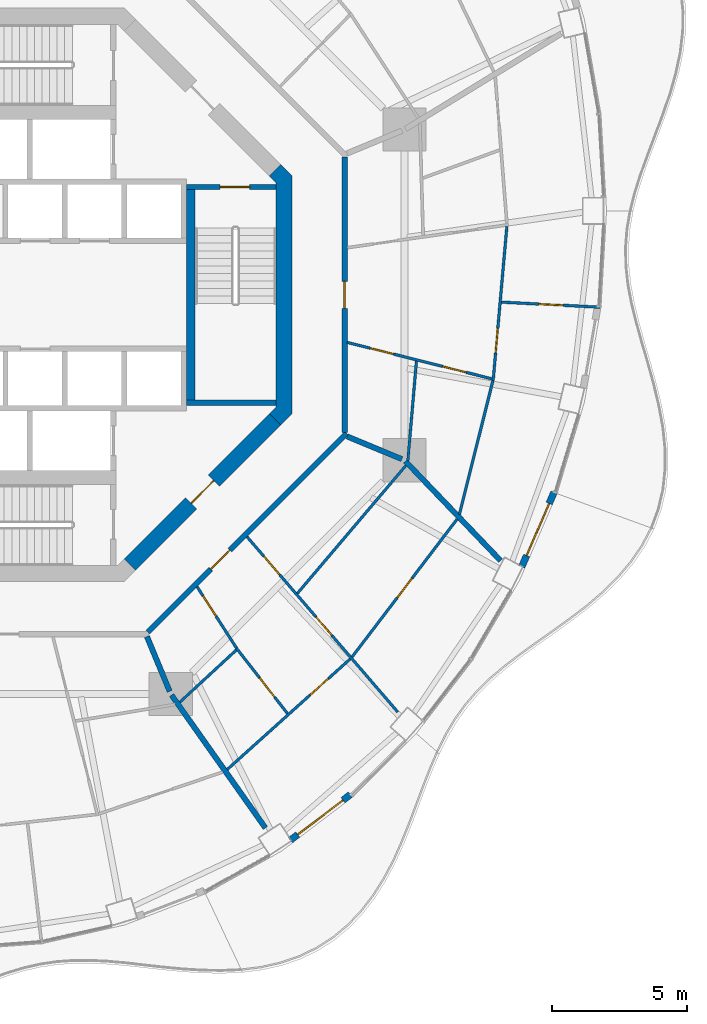
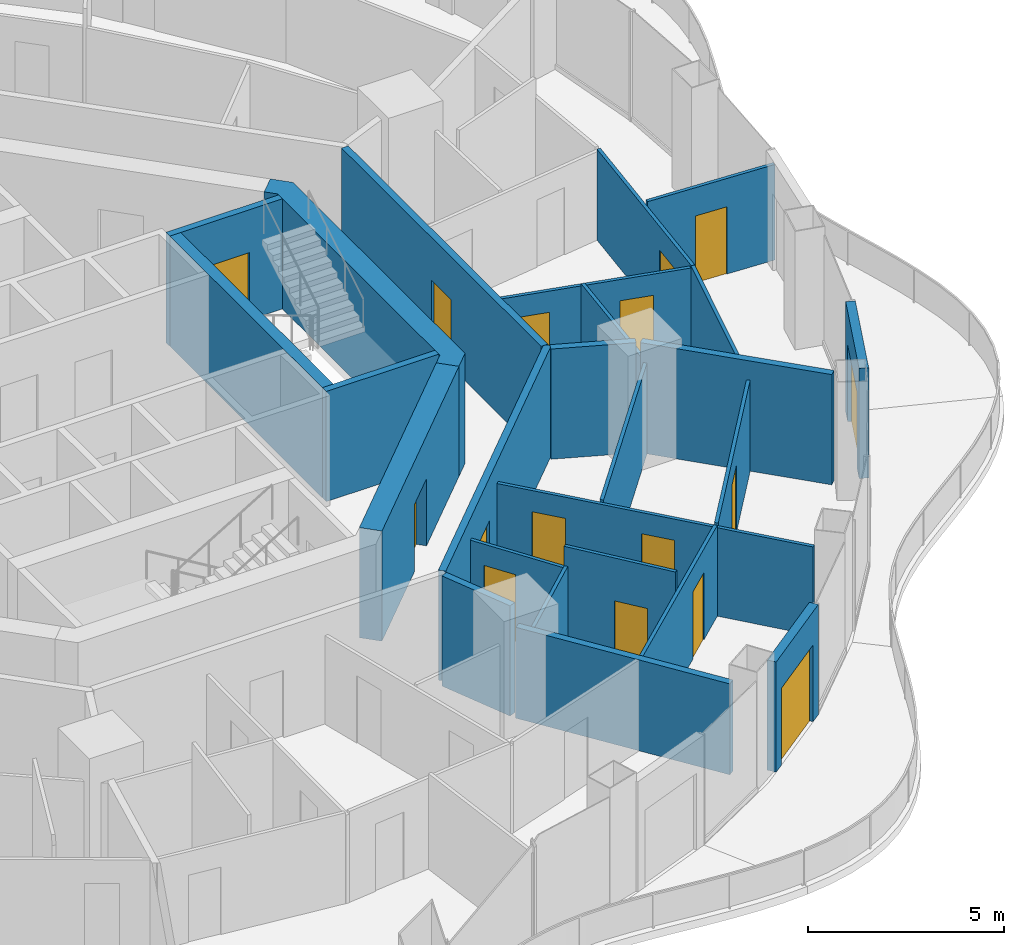
# One storey, part 12 of 18: 25 walls, 16 doors, 16 openings.
"""IFC4 building model written with IfcOpenShell, lengths in metres."""

from ifc_helpers import new_model, si_unit, direction, frame, frame_2d, origin, place, context, subcontext, project, spatial, polyline, rectangle, outline, extrude, material, layer, layer_set, type_object, element, fill, save


model = new_model("IFC4")

# Units and contexts
model_context = context("Model", 3, precision=1e-05, world=origin(), true_north=direction((0.0, 1.0)))
body_context = subcontext(model_context, "Body", "Model", "MODEL_VIEW")
ifc_project = project(units=[si_unit("LENGTHUNIT", "METRE"), si_unit("AREAUNIT", "SQUARE_METRE"), si_unit("VOLUMEUNIT", "CUBIC_METRE"), si_unit("PLANEANGLEUNIT", "RADIAN"), si_unit("MASSUNIT", "GRAM", prefix="KILO")], contexts=[model_context])

# Site, building, storey
site_placement = place(None, origin())
site = spatial("IfcSite", under=ifc_project, at=site_placement, CompositionType="ELEMENT")
building_placement = place(site_placement, origin())
building = spatial("IfcBuilding", under=site, at=building_placement, Name="Nagisa Residences", CompositionType="ELEMENT")
storey_placement = place(building_placement, frame((0.0, 0.0, 230.699951171875)))
storey = spatial("IfcBuildingStorey", under=building, at=storey_placement, Name="L58", CompositionType="ELEMENT", Elevation=230.699951171875)

# Walls
ifc_material_1 = material(Name="Gypsum board on steel studs", Category="steel")
ifc_layer_1 = layer(ifc_material_1, 0.199951171875)
ifc_layer_set_1 = layer_set([ifc_layer_1], Name="Apartment compartment wall EI60 200")
wall_type_1 = type_object("IfcWallType", Name="Apartment compartment wall EI60 200", PredefinedType="PARTITIONING", material=ifc_layer_set_1)
wall_1_placement = place(storey_placement, frame((5.24267578125, -12.6572265625, 0.0), z_axis=(0.0, 0.0, 1.0), x_axis=(0.382691608661, -0.923876145736, 0.0)))
element("IfcWall", 1, at=wall_1_placement, inside=storey, type_object=wall_type_1, Name="wall:L58:u06", PredefinedType="PARTITIONING", context=body_context, shape_type="SweptSolid", body=[
    extrude(rectangle(XDim=2.19970703125, YDim=0.199951171875, at=frame_2d((1.099853515625, 0.0))), origin(), (0.0, 0.0, 1.0), 3.43994140625),
])
wall_2_placement = place(storey_placement, frame((6.15185546875, -14.822998046875, 0.0), z_axis=(0.0, 0.0, 1.0), x_axis=(0.576994695158, -0.816747893637, 0.0)))
element("IfcWall", 2, at=wall_2_placement, inside=storey, type_object=wall_type_1, Name="wall:L58:u07", PredefinedType="PARTITIONING", context=body_context, shape_type="SweptSolid", body=[
    extrude(rectangle(XDim=6.0302734375, YDim=0.199951171875, at=frame_2d((3.01513671875, 0.0))), origin(), (0.0, 0.0, 1.0), 2.837158203125),
])
wall_3_placement = place(storey_placement, frame((12.6572265625, -5.24267578125, 0.0), z_axis=(0.0, 0.0, 1.0), x_axis=(0.923853160736, -0.382747093259, 0.0)))
element("IfcWall", 3, at=wall_3_placement, inside=storey, type_object=wall_type_1, Name="wall:L58:u08", PredefinedType="PARTITIONING", context=body_context, shape_type="SweptSolid", body=[
    extrude(rectangle(XDim=2.199951171875, YDim=0.199951171875, at=frame_2d((1.10009765625, 0.0))), origin(), (0.0, 0.0, 1.0), 3.43994140625),
])
wall_4_placement = place(storey_placement, frame((14.816650390625, -6.1591796875, 0.0), z_axis=(0.0, 0.0, 1.0), x_axis=(0.691437669875, -0.722436120828, 0.0)))
element("IfcWall", 4, at=wall_4_placement, inside=storey, type_object=wall_type_1, Name="wall:L58:u09", PredefinedType="PARTITIONING", context=body_context, shape_type="SweptSolid", body=[
    extrude(rectangle(XDim=5.103515625, YDim=0.199951171875, at=frame_2d((2.5517578125, 0.0))), origin(), (0.0, 0.0, 1.0), 3.43994140625),
])

# Wall, opening, door
ifc_material_2 = material(Name="Gypsum board on steel studs", Category="steel")
ifc_layer_2 = layer(ifc_material_2, 0.199951171875)
ifc_layer_set_2 = layer_set([ifc_layer_2], Name="Apartment entry wall EI60 200")
wall_type_2 = type_object("IfcWallType", Name="Apartment entry wall EI60 200", PredefinedType="PARTITIONING", material=ifc_layer_set_2)
wall_5_placement = place(storey_placement, frame((12.564697265625, -5.1044921875, 0.0), z_axis=(0.0, 0.0, 1.0), x_axis=(0.0, 1.0, 0.0)))
wall_5 = element("IfcWall", 5, at=wall_5_placement, inside=storey, type_object=wall_type_2, Name="wall:L58:u10", PredefinedType="PARTITIONING", context=body_context, shape_type="SweptSolid", body=[
    extrude(rectangle(XDim=10.208984375, YDim=0.199951171875, at=frame_2d((5.1044921875, 0.0))), origin(), (0.0, 0.0, 1.0), 3.43994140625),
])
opening_1_placement = place(wall_5_placement, frame((4.6044921875, 0.0, 0.0)))
opening_1 = element("IfcOpeningElement", 6, at=opening_1_placement, cuts=wall_5, Name="Opening L58-U29", PredefinedType="OPENING", context=body_context, shape_type="SweptSolid", body=[
    extrude(rectangle(XDim=1.0, YDim=2.10009765625, at=frame_2d((0.5, 1.050048828125))), frame((0.0, 0.10986328125, 0.0), z_axis=(0.0, -1.0, 0.0), x_axis=(1.0, 0.0, 0.0)), (0.0, 0.0, 1.0), 0.219970703125),
])
ifc_material_3 = material(Name="Timber fire door set", Category="wood")
door_type_1 = type_object("IfcDoorType", Name="Apartment entry door FD30S 1000x2100", OperationType="NOTDEFINED", PredefinedType="DOOR", material=ifc_material_3)
door_1_placement = place(opening_1_placement, frame((1.0, 0.0, 0.0), x_axis=(-1.0, 0.0, 0.0)))
door_1 = element("IfcDoor", 7, at=door_1_placement, inside=storey, type_object=door_type_1, Name="Entry door, Apartment 58D", OperationType="SINGLE_SWING_RIGHT", OverallHeight=2.10009765625, OverallWidth=1.0, PredefinedType="DOOR", context=body_context, shape_type="SweptSolid", body=[
    extrude(rectangle(XDim=1.0, YDim=2.10009765625, at=frame_2d((0.5, 1.050048828125))), frame((0.0, 0.02490234375, 0.0), z_axis=(0.0, -1.0, 0.0), x_axis=(1.0, 0.0, 0.0)), (0.0, 0.0, 1.0), 0.050048828125),
])
fill(opening_1, door_1)

wall_6_placement = place(storey_placement, frame((5.275146484375, -12.494140625, 0.0), z_axis=(0.0, 0.0, 1.0), x_axis=(0.707106781187, 0.707106781187, 0.0)))
wall_6 = element("IfcWall", 8, at=wall_6_placement, inside=storey, type_object=wall_type_2, Name="wall:L58:u17", PredefinedType="PARTITIONING", context=body_context, shape_type="SweptSolid", body=[
    extrude(rectangle(XDim=10.4091796875, YDim=0.199951171875, at=frame_2d((5.20458984375, 0.0))), origin(), (0.0, 0.0, 1.0), 3.43994140625),
])
opening_2_placement = place(wall_6_placement, frame((3.303466796875, 0.0, 0.0)))
opening_2 = element("IfcOpeningElement", 9, at=opening_2_placement, cuts=wall_6, Name="Opening L58-U22", PredefinedType="OPENING", context=body_context, shape_type="SweptSolid", body=[
    extrude(rectangle(XDim=1.0, YDim=2.10009765625, at=frame_2d((0.5, 1.050048828125))), frame((0.0, 0.10986328125, 0.0), z_axis=(0.0, -1.0, 0.0), x_axis=(1.0, 0.0, 0.0)), (0.0, 0.0, 1.0), 0.219970703125),
])
door_2_placement = place(opening_2_placement, frame((1.0, 0.0, 0.0), x_axis=(-1.0, 0.0, 0.0)))
door_2 = element("IfcDoor", 10, at=door_2_placement, inside=storey, type_object=door_type_1, Name="Entry door, Apartment 58C", OperationType="SINGLE_SWING_LEFT", OverallHeight=2.10009765625, OverallWidth=1.0, PredefinedType="DOOR", context=body_context, shape_type="SweptSolid", body=[
    extrude(rectangle(XDim=1.0, YDim=2.10009765625, at=frame_2d((0.5, 1.050048828125))), frame((0.0, 0.02490234375, 0.0), z_axis=(0.0, -1.0, 0.0), x_axis=(1.0, 0.0, 0.0)), (0.0, 0.0, 1.0), 0.050048828125),
])
fill(opening_2, door_2)

ifc_material_4 = material(Name="Gypsum board on steel studs", Category="steel")
ifc_layer_3 = layer(ifc_material_4, 0.10009765625)
ifc_layer_set_3 = layer_set([ifc_layer_3], Name="Apartment partition 100")
wall_type_3 = type_object("IfcWallType", Name="Apartment partition 100", PredefinedType="PARTITIONING", material=ifc_layer_set_3)
wall_7_placement = place(storey_placement, frame((18.57763671875, 2.54248046875, 0.0), z_axis=(0.0, 0.0, 1.0), x_axis=(-0.088651453697, -0.996062708748, 0.0)))
wall_7 = element("IfcWall", 11, at=wall_7_placement, inside=storey, type_object=wall_type_3, Name="wall:L58:u21", PredefinedType="PARTITIONING", context=body_context, shape_type="SweptSolid", body=[
    extrude(rectangle(XDim=5.736572265625, YDim=0.10009765625, at=frame_2d((2.8681640625, 0.0))), origin(), (0.0, 0.0, 1.0), 2.837158203125),
])
opening_3_placement = place(wall_7_placement, frame((3.80224609375, 0.0, 0.0)))
opening_3 = element("IfcOpeningElement", 12, at=opening_3_placement, cuts=wall_7, Name="Opening L58-U34", PredefinedType="OPENING", context=body_context, shape_type="SweptSolid", body=[
    extrude(rectangle(XDim=0.89990234375, YDim=2.10009765625, at=frame_2d((0.449951171875, 1.050048828125))), frame((0.0, 0.06005859375, 0.0), z_axis=(0.0, -1.0, 0.0), x_axis=(1.0, 0.0, 0.0)), (0.0, 0.0, 1.0), 0.1201171875),
])
ifc_material_5 = material(Name="Timber door set", Category="wood")
door_type_2 = type_object("IfcDoorType", Name="Apartment door 900x2100", OperationType="NOTDEFINED", PredefinedType="DOOR", material=ifc_material_5)
door_3_placement = place(opening_3_placement, origin())
door_3 = element("IfcDoor", 13, at=door_3_placement, inside=storey, type_object=door_type_2, Name="Door to study, Apartment 58D", OperationType="SINGLE_SWING_RIGHT", OverallHeight=2.10009765625, OverallWidth=0.89990234375, PredefinedType="DOOR", context=body_context, shape_type="SweptSolid", body=[
    extrude(rectangle(XDim=0.89990234375, YDim=2.10009765625, at=frame_2d((0.449951171875, 1.050048828125))), frame((0.0, 0.02490234375, 0.0), z_axis=(0.0, -1.0, 0.0), x_axis=(1.0, 0.0, 0.0)), (0.0, 0.0, 1.0), 0.050048828125),
])
fill(opening_3, door_3)

# Wall
wall_8_placement = place(storey_placement, frame((6.460693359375, -15.08837890625, 0.0), z_axis=(0.0, 0.0, 1.0), x_axis=(0.734625662691, 0.678472649203, 0.0)))
element("IfcWall", 14, at=wall_8_placement, inside=storey, type_object=wall_type_3, Name="wall:L58:u84", PredefinedType="PARTITIONING", context=body_context, shape_type="SweptSolid", body=[
    extrude(rectangle(XDim=2.843505859375, YDim=0.10009765625, at=frame_2d((1.421875, 0.0))), origin(), (0.0, 0.0, 1.0), 2.837158203125),
])

# Wall, opening, door
wall_9_placement = place(storey_placement, frame((8.220458984375, -17.5791015625, 0.0), z_axis=(0.0, 0.0, 1.0), x_axis=(0.743696370895, 0.668517544958, 0.0)))
wall_9 = element("IfcWall", 15, at=wall_9_placement, inside=storey, type_object=wall_type_3, Name="wall:L58:u85", PredefinedType="PARTITIONING", context=body_context, shape_type="SweptSolid", body=[
    extrude(rectangle(XDim=6.124755859375, YDim=0.10009765625, at=frame_2d((3.0625, 0.0))), origin(), (0.0, 0.0, 1.0), 2.837158203125),
])
opening_4_placement = place(wall_9_placement, frame((4.131103515625, 0.0, 0.0)))
opening_4 = element("IfcOpeningElement", 16, at=opening_4_placement, cuts=wall_9, Name="Opening L58-U27", PredefinedType="OPENING", context=body_context, shape_type="SweptSolid", body=[
    extrude(rectangle(XDim=0.89990234375, YDim=2.10009765625, at=frame_2d((0.449951171875, 1.050048828125))), frame((0.0, 0.06005859375, 0.0), z_axis=(0.0, -1.0, 0.0), x_axis=(1.0, 0.0, 0.0)), (0.0, 0.0, 1.0), 0.1201171875),
])
door_4_placement = place(opening_4_placement, frame((0.89990234375, 0.0, 0.0), x_axis=(-1.0, 0.0, 0.0)))
door_4 = element("IfcDoor", 17, at=door_4_placement, inside=storey, type_object=door_type_2, Name="Door to master bedroom, Apartment 58C", OperationType="SINGLE_SWING_RIGHT", OverallHeight=2.10009765625, OverallWidth=0.89990234375, PredefinedType="DOOR", context=body_context, shape_type="SweptSolid", body=[
    extrude(rectangle(XDim=0.89990234375, YDim=2.10009765625, at=frame_2d((0.449951171875, 1.050048828125))), frame((0.0, 0.02490234375, 0.0), z_axis=(0.0, -1.0, 0.0), x_axis=(1.0, 0.0, 0.0)), (0.0, 0.0, 1.0), 0.050048828125),
])
fill(opening_4, door_4)

wall_10_placement = place(storey_placement, frame((7.0986328125, -10.808837890625, 0.0), z_axis=(0.0, 0.0, 1.0), x_axis=(0.540424285965, -0.841392649801, 0.0)))
wall_10 = element("IfcWall", 18, at=wall_10_placement, inside=storey, type_object=wall_type_3, Name="wall:L58:u86", PredefinedType="PARTITIONING", context=body_context, shape_type="SweptSolid", body=[
    extrude(rectangle(XDim=2.702880859375, YDim=0.10009765625, at=frame_2d((1.3515625, 0.0))), origin(), (0.0, 0.0, 1.0), 2.761962890625),
])
opening_5_placement = place(wall_10_placement, frame((0.405029296875, 0.0, 0.0)))
opening_5 = element("IfcOpeningElement", 19, at=opening_5_placement, cuts=wall_10, Name="Opening L58-U23", PredefinedType="OPENING", context=body_context, shape_type="SweptSolid", body=[
    extrude(rectangle(XDim=0.89990234375, YDim=2.10009765625, at=frame_2d((0.449951171875, 1.050048828125))), frame((0.0, 0.06005859375, 0.0), z_axis=(0.0, -1.0, 0.0), x_axis=(1.0, 0.0, 0.0)), (0.0, 0.0, 1.0), 0.1201171875),
])
door_5_placement = place(opening_5_placement, frame((0.89990234375, 0.0, 0.0), x_axis=(-1.0, 0.0, 0.0)))
door_5 = element("IfcDoor", 20, at=door_5_placement, inside=storey, type_object=door_type_2, Name="Door to family bathroom, Apartment 58C", OperationType="SINGLE_SWING_RIGHT", OverallHeight=2.10009765625, OverallWidth=0.89990234375, PredefinedType="DOOR", context=body_context, shape_type="SweptSolid", body=[
    extrude(rectangle(XDim=0.89990234375, YDim=2.10009765625, at=frame_2d((0.449951171875, 1.050048828125))), frame((0.0, 0.02490234375, 0.0), z_axis=(0.0, -1.0, 0.0), x_axis=(1.0, 0.0, 0.0)), (0.0, 0.0, 1.0), 0.050048828125),
])
fill(opening_5, door_5)

wall_11_placement = place(storey_placement, frame((8.555419921875, -13.085693359375, 0.0), z_axis=(0.0, 0.0, 1.0), x_axis=(0.61562093425, -0.788042426087, 0.0)))
wall_11 = element("IfcWall", 21, at=wall_11_placement, inside=storey, type_object=wall_type_3, Name="wall:L58:u87", PredefinedType="PARTITIONING", context=body_context, shape_type="SweptSolid", body=[
    extrude(rectangle(XDim=3.075439453125, YDim=0.10009765625, at=frame_2d((1.53759765625, 0.0))), origin(), (0.0, 0.0, 1.0), 3.43994140625),
])
opening_6_placement = place(wall_11_placement, frame((1.397705078125, 0.0, 0.0)))
opening_6 = element("IfcOpeningElement", 22, at=opening_6_placement, cuts=wall_11, Name="Opening L58-U25", PredefinedType="OPENING", context=body_context, shape_type="SweptSolid", body=[
    extrude(rectangle(XDim=0.89990234375, YDim=2.10009765625, at=frame_2d((0.449951171875, 1.050048828125))), frame((0.0, 0.06005859375, 0.0), z_axis=(0.0, -1.0, 0.0), x_axis=(1.0, 0.0, 0.0)), (0.0, 0.0, 1.0), 0.1201171875),
])
door_6_placement = place(opening_6_placement, frame((0.89990234375, 0.0, 0.0), x_axis=(-1.0, 0.0, 0.0)))
door_6 = element("IfcDoor", 23, at=door_6_placement, inside=storey, type_object=door_type_2, Name="Door to family bathroom, Apartment 58C", OperationType="SINGLE_SWING_RIGHT", OverallHeight=2.10009765625, OverallWidth=0.89990234375, PredefinedType="DOOR", context=body_context, shape_type="SweptSolid", body=[
    extrude(rectangle(XDim=0.89990234375, YDim=2.10009765625, at=frame_2d((0.449951171875, 1.050048828125))), frame((0.0, 0.02490234375, 0.0), z_axis=(0.0, -1.0, 0.0), x_axis=(1.0, 0.0, 0.0)), (0.0, 0.0, 1.0), 0.050048828125),
])
fill(opening_6, door_6)

# Wall, openings, doors
wall_12_placement = place(storey_placement, frame((8.949951171875, -8.96044921875, 0.0), z_axis=(0.0, 0.0, 1.0), x_axis=(0.652102165991, -0.758131100213, 0.0)))
wall_12 = element("IfcWall", 24, at=wall_12_placement, inside=storey, type_object=wall_type_3, Name="wall:L58:u88", PredefinedType="PARTITIONING", context=body_context, shape_type="SweptSolid", body=[
    extrude(rectangle(XDim=8.56787109375, YDim=0.10009765625, at=frame_2d((4.283935546875, 0.0))), origin(), (0.0, 0.0, 1.0), 2.761962890625),
])
opening_7_placement = place(wall_12_placement, frame((0.957275390625, 0.0, 0.0)))
opening_7 = element("IfcOpeningElement", 25, at=opening_7_placement, cuts=wall_12, Name="Opening L58-U24", PredefinedType="OPENING", context=body_context, shape_type="SweptSolid", body=[
    extrude(rectangle(XDim=0.89990234375, YDim=2.10009765625, at=frame_2d((0.449951171875, 1.050048828125))), frame((0.0, 0.06005859375, 0.0), z_axis=(0.0, -1.0, 0.0), x_axis=(1.0, 0.0, 0.0)), (0.0, 0.0, 1.0), 0.1201171875),
])
opening_8_placement = place(wall_12_placement, frame((3.9189453125, 0.0, 0.0)))
opening_8 = element("IfcOpeningElement", 26, at=opening_8_placement, cuts=wall_12, Name="Opening L58-U26", PredefinedType="OPENING", context=body_context, shape_type="SweptSolid", body=[
    extrude(rectangle(XDim=0.89990234375, YDim=2.10009765625, at=frame_2d((0.449951171875, 1.050048828125))), frame((0.0, 0.06005859375, 0.0), z_axis=(0.0, -1.0, 0.0), x_axis=(1.0, 0.0, 0.0)), (0.0, 0.0, 1.0), 0.1201171875),
])
door_7_placement = place(opening_7_placement, origin())
door_7 = element("IfcDoor", 27, at=door_7_placement, inside=storey, type_object=door_type_2, Name="Door to store, Apartment 58C", OperationType="SINGLE_SWING_RIGHT", OverallHeight=2.10009765625, OverallWidth=0.89990234375, PredefinedType="DOOR", context=body_context, shape_type="SweptSolid", body=[
    extrude(rectangle(XDim=0.89990234375, YDim=2.10009765625, at=frame_2d((0.449951171875, 1.050048828125))), frame((0.0, 0.02490234375, 0.0), z_axis=(0.0, -1.0, 0.0), x_axis=(1.0, 0.0, 0.0)), (0.0, 0.0, 1.0), 0.050048828125),
])
fill(opening_7, door_7)
door_8_placement = place(opening_8_placement, origin())
door_8 = element("IfcDoor", 28, at=door_8_placement, inside=storey, type_object=door_type_2, Name="Door to kitchen, Apartment 58C", OperationType="SINGLE_SWING_RIGHT", OverallHeight=2.10009765625, OverallWidth=0.89990234375, PredefinedType="DOOR", context=body_context, shape_type="SweptSolid", body=[
    extrude(rectangle(XDim=0.89990234375, YDim=2.10009765625, at=frame_2d((0.449951171875, 1.050048828125))), frame((0.0, 0.02490234375, 0.0), z_axis=(0.0, -1.0, 0.0), x_axis=(1.0, 0.0, 0.0)), (0.0, 0.0, 1.0), 0.050048828125),
])
fill(opening_8, door_8)

# Wall
wall_13_placement = place(storey_placement, frame((10.817626953125, -11.05615234375, 0.0), z_axis=(0.0, 0.0, 1.0), x_axis=(0.646981604878, 0.762505608471, 0.0)))
element("IfcWall", 29, at=wall_13_placement, inside=storey, type_object=wall_type_3, Name="wall:L58:u89", PredefinedType="PARTITIONING", context=body_context, shape_type="SweptSolid", body=[
    extrude(rectangle(XDim=6.208984375, YDim=0.10009765625, at=frame_2d((3.1044921875, 0.0))), origin(), (0.0, 0.0, 1.0), 2.837158203125),
])

# Wall, opening, door
wall_14_placement = place(storey_placement, frame((12.843017578125, -13.411376953125, 0.0), z_axis=(0.0, 0.0, 1.0), x_axis=(0.606128002625, 0.795367112995, 0.0)))
wall_14 = element("IfcWall", 30, at=wall_14_placement, inside=storey, type_object=wall_type_3, Name="wall:L58:u90", PredefinedType="PARTITIONING", context=body_context, shape_type="SweptSolid", body=[
    extrude(rectangle(XDim=6.419677734375, YDim=0.10009765625, at=frame_2d((3.2099609375, 0.0))), origin(), (0.0, 0.0, 1.0), 2.837158203125),
])
opening_9_placement = place(wall_14_placement, frame((2.760009765625, 0.0, 0.0)))
opening_9 = element("IfcOpeningElement", 31, at=opening_9_placement, cuts=wall_14, Name="Opening L58-U28", PredefinedType="OPENING", context=body_context, shape_type="SweptSolid", body=[
    extrude(rectangle(XDim=0.89990234375, YDim=2.10009765625, at=frame_2d((0.449951171875, 1.050048828125))), frame((0.0, 0.06005859375, 0.0), z_axis=(0.0, -1.0, 0.0), x_axis=(1.0, 0.0, 0.0)), (0.0, 0.0, 1.0), 0.1201171875),
])
door_9_placement = place(opening_9_placement, frame((0.89990234375, 0.0, 0.0), x_axis=(-1.0, 0.0, 0.0)))
door_9 = element("IfcDoor", 32, at=door_9_placement, inside=storey, type_object=door_type_2, Name="Door to kitchen, Apartment 58C", OperationType="SINGLE_SWING_LEFT", OverallHeight=2.10009765625, OverallWidth=0.89990234375, PredefinedType="DOOR", context=body_context, shape_type="SweptSolid", body=[
    extrude(rectangle(XDim=0.89990234375, YDim=2.10009765625, at=frame_2d((0.449951171875, 1.050048828125))), frame((0.0, 0.02490234375, 0.0), z_axis=(0.0, -1.0, 0.0), x_axis=(1.0, 0.0, 0.0)), (0.0, 0.0, 1.0), 0.050048828125),
])
fill(opening_9, door_9)

# Walls
wall_15_placement = place(storey_placement, frame((14.907958984375, -6.14599609375, 0.0), z_axis=(0.0, 0.0, 1.0), x_axis=(0.085881574106, 0.996305352404, 0.0)))
element("IfcWall", 33, at=wall_15_placement, inside=storey, type_object=wall_type_3, Name="wall:L58:u91", PredefinedType="PARTITIONING", context=body_context, shape_type="SweptSolid", body=[
    extrude(rectangle(XDim=3.7041015625, YDim=0.10009765625, at=frame_2d((1.85205078125, 0.0))), origin(), (0.0, 0.0, 1.0), 2.837158203125),
])
wall_16_placement = place(storey_placement, frame((16.81884765625, -8.128662109375, 0.0), z_axis=(0.0, 0.0, 1.0), x_axis=(0.243041266705, 0.970015949703, 0.0)))
element("IfcWall", 34, at=wall_16_placement, inside=storey, type_object=wall_type_3, Name="wall:L58:u92", PredefinedType="PARTITIONING", context=body_context, shape_type="SweptSolid", body=[
    extrude(rectangle(XDim=5.112060546875, YDim=0.10009765625, at=frame_2d((2.55615234375, 0.0))), origin(), (0.0, 0.0, 1.0), 2.837158203125),
])

# Wall, openings, doors
wall_17_placement = place(storey_placement, frame((12.66162109375, -1.75927734375, 0.0), z_axis=(0.0, 0.0, 1.0), x_axis=(0.969746519828, -0.24411408661, 0.0)))
wall_17 = element("IfcWall", 35, at=wall_17_placement, inside=storey, type_object=wall_type_3, Name="wall:L58:u93", PredefinedType="PARTITIONING", context=body_context, shape_type="SweptSolid", body=[
    extrude(rectangle(XDim=5.530517578125, YDim=0.10009765625, at=frame_2d((2.76513671875, 0.0))), origin(), (0.0, 0.0, 1.0), 2.761962890625),
])
opening_10_placement = place(wall_17_placement, frame((0.874267578125, 0.0, 0.0)))
opening_10 = element("IfcOpeningElement", 36, at=opening_10_placement, cuts=wall_17, Name="Opening L58-U30", PredefinedType="OPENING", context=body_context, shape_type="SweptSolid", body=[
    extrude(rectangle(XDim=0.89990234375, YDim=2.10009765625, at=frame_2d((0.449951171875, 1.050048828125))), frame((0.0, 0.06005859375, 0.0), z_axis=(0.0, -1.0, 0.0), x_axis=(1.0, 0.0, 0.0)), (0.0, 0.0, 1.0), 0.1201171875),
])
opening_11_placement = place(wall_17_placement, frame((3.6396484375, 0.0, 0.0)))
opening_11 = element("IfcOpeningElement", 37, at=opening_11_placement, cuts=wall_17, Name="Opening L58-U32", PredefinedType="OPENING", context=body_context, shape_type="SweptSolid", body=[
    extrude(rectangle(XDim=0.89990234375, YDim=2.10009765625, at=frame_2d((0.449951171875, 1.050048828125))), frame((0.0, 0.06005859375, 0.0), z_axis=(0.0, -1.0, 0.0), x_axis=(1.0, 0.0, 0.0)), (0.0, 0.0, 1.0), 0.1201171875),
])
door_10_placement = place(opening_10_placement, frame((0.89990234375, 0.0, 0.0), x_axis=(-1.0, 0.0, 0.0)))
door_10 = element("IfcDoor", 38, at=door_10_placement, inside=storey, type_object=door_type_2, Name="Door to store, Apartment 58D", OperationType="SINGLE_SWING_LEFT", OverallHeight=2.10009765625, OverallWidth=0.89990234375, PredefinedType="DOOR", context=body_context, shape_type="SweptSolid", body=[
    extrude(rectangle(XDim=0.89990234375, YDim=2.10009765625, at=frame_2d((0.449951171875, 1.050048828125))), frame((0.0, 0.02490234375, 0.0), z_axis=(0.0, -1.0, 0.0), x_axis=(1.0, 0.0, 0.0)), (0.0, 0.0, 1.0), 0.050048828125),
])
fill(opening_10, door_10)
door_11_placement = place(opening_11_placement, frame((0.89990234375, 0.0, 0.0), x_axis=(-1.0, 0.0, 0.0)))
door_11 = element("IfcDoor", 39, at=door_11_placement, inside=storey, type_object=door_type_2, Name="Door to kitchen, Apartment 58D", OperationType="SINGLE_SWING_LEFT", OverallHeight=2.10009765625, OverallWidth=0.89990234375, PredefinedType="DOOR", context=body_context, shape_type="SweptSolid", body=[
    extrude(rectangle(XDim=0.89990234375, YDim=2.10009765625, at=frame_2d((0.449951171875, 1.050048828125))), frame((0.0, 0.02490234375, 0.0), z_axis=(0.0, -1.0, 0.0), x_axis=(1.0, 0.0, 0.0)), (0.0, 0.0, 1.0), 0.050048828125),
])
fill(opening_11, door_11)

# Wall, opening, door
wall_18_placement = place(storey_placement, frame((18.377685546875, -0.26708984375, 0.0), z_axis=(0.0, 0.0, 1.0), x_axis=(0.998670331817, -0.051551608585, 0.0)))
wall_18 = element("IfcWall", 40, at=wall_18_placement, inside=storey, type_object=wall_type_3, Name="wall:L58:u94", PredefinedType="PARTITIONING", context=body_context, shape_type="SweptSolid", body=[
    extrude(rectangle(XDim=3.6513671875, YDim=0.10009765625, at=frame_2d((1.82568359375, 0.0))), origin(), (0.0, 0.0, 1.0), 2.983154296875),
])
opening_12_placement = place(wall_18_placement, frame((1.37548828125, 0.0, 0.0)))
opening_12 = element("IfcOpeningElement", 41, at=opening_12_placement, cuts=wall_18, Name="Opening L58-U35", PredefinedType="OPENING", context=body_context, shape_type="SweptSolid", body=[
    extrude(rectangle(XDim=0.89990234375, YDim=2.10009765625, at=frame_2d((0.449951171875, 1.050048828125))), frame((0.0, 0.06005859375, 0.0), z_axis=(0.0, -1.0, 0.0), x_axis=(1.0, 0.0, 0.0)), (0.0, 0.0, 1.0), 0.1201171875),
])
door_12_placement = place(opening_12_placement, origin())
door_12 = element("IfcDoor", 42, at=door_12_placement, inside=storey, type_object=door_type_2, Name="Door to bedroom, Apartment 58D", OperationType="SINGLE_SWING_LEFT", OverallHeight=2.10009765625, OverallWidth=0.89990234375, PredefinedType="DOOR", context=body_context, shape_type="SweptSolid", body=[
    extrude(rectangle(XDim=0.89990234375, YDim=2.10009765625, at=frame_2d((0.449951171875, 1.050048828125))), frame((0.0, 0.02490234375, 0.0), z_axis=(0.0, -1.0, 0.0), x_axis=(1.0, 0.0, 0.0)), (0.0, 0.0, 1.0), 0.050048828125),
])
fill(opening_12, door_12)

ifc_material_6 = material(Name="Precast concrete C40/50", Category="concrete")
ifc_layer_4 = layer(ifc_material_6, 0.25)
ifc_layer_set_4 = layer_set([ifc_layer_4], Name="BALCONY DOOR WALL 250")
wall_type_4 = type_object("IfcWallType", Name="BALCONY DOOR WALL 250", PredefinedType="SOLIDWALL", material=ifc_layer_set_4)
wall_19_placement = place(storey_placement, frame((12.77734375, -18.5126953125, 0.0), z_axis=(0.0, 0.0, 1.0), x_axis=(-0.796022158395, -0.605267480825, 0.0)))
wall_19 = element("IfcWall", 43, at=wall_19_placement, inside=storey, type_object=wall_type_4, Name="wall:L58:bay40", PredefinedType="SOLIDWALL", context=body_context, shape_type="SweptSolid", body=[
    extrude(rectangle(XDim=2.788818359375, YDim=0.25, at=frame_2d((1.39453125, 0.0))), origin(), (0.0, 0.0, 1.0), 3.43994140625),
])
opening_13_placement = place(wall_19_placement, frame((0.34423828125, 0.0, 0.0)))
opening_13 = element("IfcOpeningElement", 44, at=opening_13_placement, cuts=wall_19, Name="Opening BD-L58-14", PredefinedType="OPENING", context=body_context, shape_type="SweptSolid", body=[
    extrude(rectangle(XDim=2.10009765625, YDim=2.39990234375, at=frame_2d((1.050048828125, 1.199951171875))), frame((0.0, 0.135009765625, 0.0), z_axis=(0.0, -1.0, 0.0), x_axis=(1.0, 0.0, 0.0)), (0.0, 0.0, 1.0), 0.27001953125),
])
ifc_material_7 = material(Name="Aluminium and clear glass", Category="aluminium")
door_type_3 = type_object("IfcDoorType", Name="BALCONY SLIDING DOOR 2100x2400", OperationType="SLIDING_TO_LEFT", PredefinedType="DOOR", material=ifc_material_7)
door_13_placement = place(opening_13_placement, origin())
door_13 = element("IfcDoor", 45, at=door_13_placement, inside=storey, type_object=door_type_3, Name="door:L58:bay40", OperationType="SLIDING_TO_LEFT", OverallHeight=2.39990234375, OverallWidth=2.10009765625, PredefinedType="DOOR", context=body_context, shape_type="SweptSolid", body=[
    extrude(rectangle(XDim=2.10009765625, YDim=2.39990234375, at=frame_2d((1.050048828125, 1.199951171875))), frame((0.0, 0.02490234375, 0.0), z_axis=(0.0, -1.0, 0.0), x_axis=(1.0, 0.0, 0.0)), (0.0, 0.0, 1.0), 0.050048828125),
])
fill(opening_13, door_13)

wall_20_placement = place(storey_placement, frame((20.322998046875, -7.314208984375, 0.0), z_axis=(0.0, 0.0, 1.0), x_axis=(-0.397586897646, -0.917564525698, 0.0)))
wall_20 = element("IfcWall", 46, at=wall_20_placement, inside=storey, type_object=wall_type_4, Name="wall:L58:bay44", PredefinedType="SOLIDWALL", context=body_context, shape_type="SweptSolid", body=[
    extrude(rectangle(XDim=3.002197265625, YDim=0.25, at=frame_2d((1.5009765625, 0.0))), origin(), (0.0, 0.0, 1.0), 3.43994140625),
])
opening_14_placement = place(wall_20_placement, frame((0.450927734375, 0.0, 0.0)))
opening_14 = element("IfcOpeningElement", 47, at=opening_14_placement, cuts=wall_20, Name="Opening BD-L58-15", PredefinedType="OPENING", context=body_context, shape_type="SweptSolid", body=[
    extrude(rectangle(XDim=2.10009765625, YDim=2.39990234375, at=frame_2d((1.050048828125, 1.199951171875))), frame((0.0, 0.135009765625, 0.0), z_axis=(0.0, -1.0, 0.0), x_axis=(1.0, 0.0, 0.0)), (0.0, 0.0, 1.0), 0.27001953125),
])
door_14_placement = place(opening_14_placement, origin())
door_14 = element("IfcDoor", 48, at=door_14_placement, inside=storey, type_object=door_type_3, Name="door:L58:bay44", OperationType="SLIDING_TO_LEFT", OverallHeight=2.39990234375, OverallWidth=2.10009765625, PredefinedType="DOOR", context=body_context, shape_type="SweptSolid", body=[
    extrude(rectangle(XDim=2.10009765625, YDim=2.39990234375, at=frame_2d((1.050048828125, 1.199951171875))), frame((0.0, 0.02490234375, 0.0), z_axis=(0.0, -1.0, 0.0), x_axis=(1.0, 0.0, 0.0)), (0.0, 0.0, 1.0), 0.050048828125),
])
fill(opening_14, door_14)

ifc_material_8 = material(Name="Concrete C60", Category="concrete")
ifc_layer_5 = layer(ifc_material_8, 0.60009765625)
ifc_layer_set_5 = layer_set([ifc_layer_5], Name="Core shear wall 600")
wall_type_5 = type_object("IfcWallType", Name="Core shear wall 600", PredefinedType="SHEAR", material=ifc_layer_set_5)
wall_21_placement = place(storey_placement, frame((4.613037109375, -9.98828125, 0.0), z_axis=(0.0, 0.0, 1.0), x_axis=(0.707106781187, 0.707106781187, 0.0)))
wall_21 = element("IfcWall", 49, at=wall_21_placement, inside=storey, type_object=wall_type_5, Name="wall:L58:core:flat7", PredefinedType="SHEAR", context=body_context, shape_type="SweptSolid", body=[
    extrude(rectangle(XDim=7.601806640625, YDim=0.60009765625, at=frame_2d((3.80078125, 0.0))), origin(), (0.0, 0.0, 1.0), 3.43994140625),
])
opening_15_placement = place(wall_21_placement, frame((3.200927734375, 0.0, 0.0)))
opening_15 = element("IfcOpeningElement", 50, at=opening_15_placement, cuts=wall_21, Name="Opening L58-C18", PredefinedType="OPENING", context=body_context, shape_type="SweptSolid", body=[
    extrude(rectangle(XDim=1.199951171875, YDim=2.10009765625, at=frame_2d((0.60009765625, 1.050048828125))), frame((0.0, 0.31005859375, 0.0), z_axis=(0.0, -1.0, 0.0), x_axis=(1.0, 0.0, 0.0)), (0.0, 0.0, 1.0), 0.6201171875),
])
ifc_material_9 = material(Name="Steel fire door", Category="steel")
door_type_4 = type_object("IfcDoorType", Name="Fire door EI60 1200x2100 single swing", OperationType="NOTDEFINED", PredefinedType="DOOR", material=ifc_material_9)
door_15_placement = place(opening_15_placement, origin())
door_15 = element("IfcDoor", 51, at=door_15_placement, inside=storey, type_object=door_type_4, Name="Firefighting lobby 2 door L58", OperationType="SINGLE_SWING_LEFT", OverallHeight=2.10009765625, OverallWidth=1.199951171875, PredefinedType="DOOR", context=body_context, shape_type="SweptSolid", body=[
    extrude(rectangle(XDim=1.199951171875, YDim=2.10009765625, at=frame_2d((0.60009765625, 1.050048828125))), frame((0.0, 0.02490234375, 0.0), z_axis=(0.0, -1.0, 0.0), x_axis=(1.0, 0.0, 0.0)), (0.0, 0.0, 1.0), 0.050048828125),
])
fill(opening_15, door_15)

# Wall
wall_22_placement = place(storey_placement, origin())
element("IfcWall", 52, at=wall_22_placement, inside=storey, type_object=wall_type_5, Name="wall:L58:core:flat0", PredefinedType="SHEAR", context=body_context, shape_type="SweptSolid", body=[
    extrude(outline(polyline([(9.776123046875, -4.40087890625), (10.024658203125, -4.15234375), (10.024658203125, -3.801025390625), (10.024658203125, 4.15234375), (9.776123046875, 4.40087890625), (10.200439453125, 4.8251953125), (10.62451171875, 4.40087890625), (10.62451171875, -4.40087890625), (10.200439453125, -4.8251953125), (9.776123046875, -4.40087890625)])), origin(), (0.0, 0.0, 1.0), 3.43994140625),
])

# Wall, opening, door
ifc_material_10 = material(Name="Concrete C60", Category="concrete")
ifc_layer_6 = layer(ifc_material_10, 0.199951171875)
ifc_layer_set_6 = layer_set([ifc_layer_6], Name="Stair enclosure wall 200")
wall_type_6 = type_object("IfcWallType", Name="Stair enclosure wall 200", PredefinedType="SOLIDWALL", material=ifc_layer_set_6)
wall_23_placement = place(storey_placement, frame((6.699951171875, 4.0, 0.0), z_axis=(0.0, 0.0, 1.0), x_axis=(1.0, 0.0, 0.0)))
wall_23 = element("IfcWall", 53, at=wall_23_placement, inside=storey, type_object=wall_type_6, Name="wall:L58:SE_n", PredefinedType="SOLIDWALL", context=body_context, shape_type="SweptSolid", body=[
    extrude(rectangle(XDim=3.32470703125, YDim=0.199951171875, at=frame_2d((1.662353515625, 0.0))), origin(), (0.0, 0.0, 1.0), 3.43994140625),
])
opening_16_placement = place(wall_23_placement, frame((1.25, 0.0, 0.0)))
opening_16 = element("IfcOpeningElement", 54, at=opening_16_placement, cuts=wall_23, Name="Opening L58-C08", PredefinedType="OPENING", context=body_context, shape_type="SweptSolid", body=[
    extrude(rectangle(XDim=1.10009765625, YDim=2.10009765625, at=frame_2d((0.550048828125, 1.050048828125))), frame((0.0, 0.10986328125, 0.0), z_axis=(0.0, -1.0, 0.0), x_axis=(1.0, 0.0, 0.0)), (0.0, 0.0, 1.0), 0.219970703125),
])
ifc_material_11 = material(Name="Steel fire door", Category="steel")
door_type_5 = type_object("IfcDoorType", Name="Fire door EI90 1100x2100 single swing", OperationType="NOTDEFINED", PredefinedType="DOOR", material=ifc_material_11)
door_16_placement = place(opening_16_placement, frame((1.10009765625, 0.0, 0.0), x_axis=(-1.0, 0.0, 0.0)))
door_16 = element("IfcDoor", 55, at=door_16_placement, inside=storey, type_object=door_type_5, Name="Stair door ST-E L58", OperationType="SINGLE_SWING_RIGHT", OverallHeight=2.10009765625, OverallWidth=1.10009765625, PredefinedType="DOOR", context=body_context, shape_type="SweptSolid", body=[
    extrude(rectangle(XDim=1.10009765625, YDim=2.10009765625, at=frame_2d((0.550048828125, 1.050048828125))), frame((0.0, 0.02490234375, 0.0), z_axis=(0.0, -1.0, 0.0), x_axis=(1.0, 0.0, 0.0)), (0.0, 0.0, 1.0), 0.050048828125),
])
fill(opening_16, door_16)

# Walls
wall_24_placement = place(storey_placement, origin())
element("IfcWall", 56, at=wall_24_placement, inside=storey, type_object=wall_type_6, Name="wall:L58:SE_w", PredefinedType="SOLIDWALL", context=body_context, shape_type="SweptSolid", body=[
    extrude(outline(polyline([(7.024658203125, -3.89990234375), (6.699951171875, -3.89990234375), (6.699951171875, 3.89990234375), (7.024658203125, 3.89990234375), (7.024658203125, -3.89990234375)])), origin(), (0.0, 0.0, 1.0), 3.43994140625),
])
wall_25_placement = place(storey_placement, origin())
element("IfcWall", 57, at=wall_25_placement, inside=storey, type_object=wall_type_6, Name="wall:L58:SE_s", PredefinedType="SOLIDWALL", context=body_context, shape_type="SweptSolid", body=[
    extrude(outline(polyline([(10.024658203125, -4.10009765625), (6.699951171875, -4.10009765625), (6.699951171875, -3.89990234375), (10.024658203125, -3.89990234375), (10.024658203125, -4.10009765625)])), origin(), (0.0, 0.0, 1.0), 3.43994140625),
])

save(model, "model.ifc")
